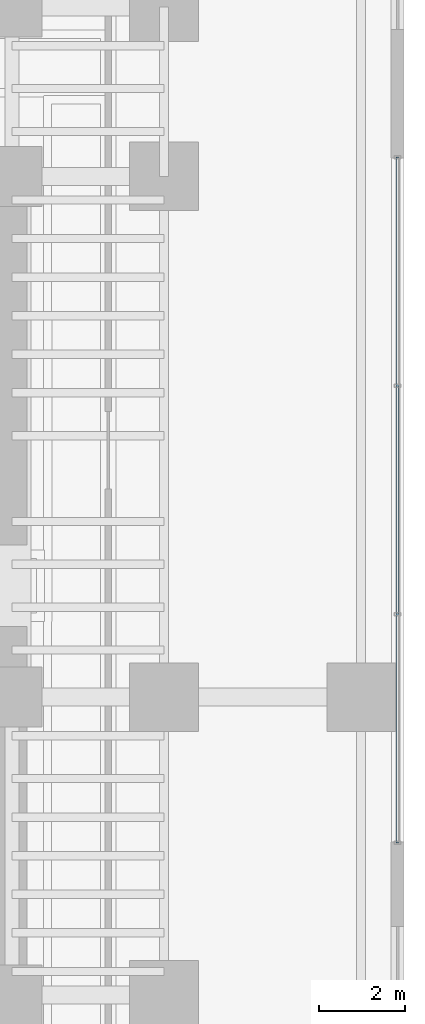
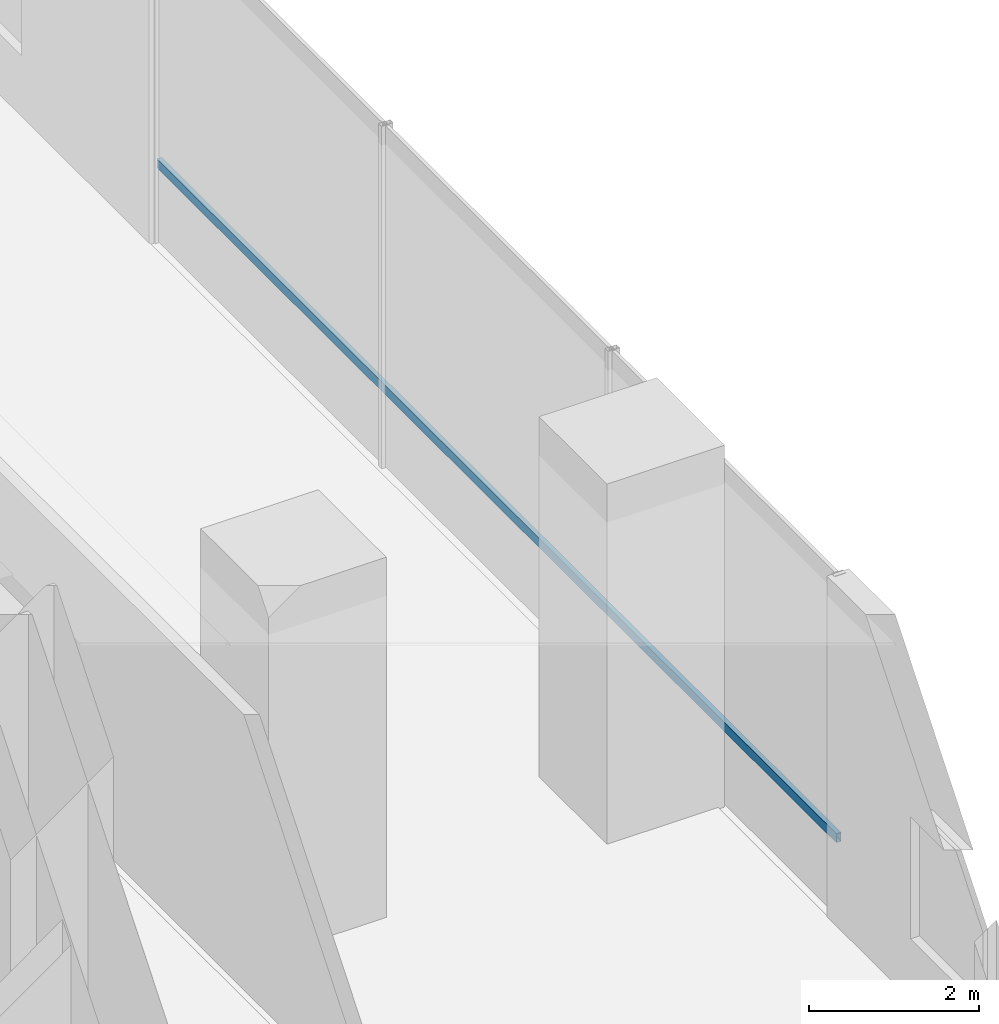
# One storey, part 21 of 39: 1 member, 1 element without a shape of its own.
"""IFC4 building model written with IfcOpenShell, lengths in metres."""

from ifc_helpers import new_model, si_unit, direction, frame, origin, origin_2d, place, context, subcontext, project, spatial, hollow_rectangle, extrude, source, transform, mapped, material, material_profile, profile_set, type_object, element, aggregate, save


model = new_model("IFC4")

# Units and contexts
model_context = context("Model", 3, precision=1e-05, world=origin(), true_north=direction((0.0, 1.0)))
body_context = subcontext(model_context, "Body", "Model", "MODEL_VIEW")
ifc_project = project(units=[si_unit("LENGTHUNIT", "METRE"), si_unit("AREAUNIT", "SQUARE_METRE"), si_unit("VOLUMEUNIT", "CUBIC_METRE"), si_unit("PLANEANGLEUNIT", "RADIAN"), si_unit("MASSUNIT", "GRAM", prefix="KILO")], contexts=[model_context])

# Site, building, storey
site_placement = place(None, origin())
site = spatial("IfcSite", under=ifc_project, at=site_placement, CompositionType="ELEMENT")
building_placement = place(site_placement, origin())
building = spatial("IfcBuilding", under=site, at=building_placement, Name="Valdorenza Pilgrim Sanctuary Tower", CompositionType="ELEMENT")
storey_placement = place(building_placement, frame((0.0, 0.0, 10.39990234375)))
storey = spatial("IfcBuildingStorey", under=building, at=storey_placement, Name="L02", CompositionType="ELEMENT", Elevation=10.39990234375)

# Curtain wall, member
ifc_material_1 = material(Name="Curtain-wall IGU glazing", Category="glass")
curtain_wall_type = type_object("IfcCurtainWallType", Name="CW-SYS-01", PredefinedType="NOTDEFINED", material=ifc_material_1)
curtain_wall_placement = place(storey_placement, origin())
curtain_wall = element("IfcCurtainWall", 1, at=curtain_wall_placement, inside=storey, type_object=curtain_wall_type, Name="L02 Curtain Wall CW-POD-L02-EE", PredefinedType="NOTDEFINED")
ifc_material_2 = material(Name="Anodised aluminium AW-6060", Category="aluminium")
ifc_material_profile = material_profile(ifc_material_2, hollow_rectangle(XDim=0.06494140625, YDim=0.1298828125, WallThickness=0.00341796875, at=origin_2d()), Name="ALU-T 130x65x3.5")
ifc_profile_set = profile_set([ifc_material_profile], Name="Anodised aluminium AW-6060")
member_type = type_object("IfcMemberType", Name="CW-TRN-01", PredefinedType="USERDEFINED", material=ifc_profile_set)
shared_shape = source(origin(), body_context, "Body", "SweptSolid", [
    extrude(hollow_rectangle(XDim=0.06494140625, YDim=0.1298828125, WallThickness=0.00341796875, at=origin_2d()), origin(), (0.0, 0.0, 1.0), 16.0),
])
member_placement = place(storey_placement, frame((33.85009765625, -6.0, 1.1201171875), z_axis=(0.0, 1.0, 0.0), x_axis=(-1.0, 0.0, 0.0)))
member = element("IfcMember", 2, at=member_placement, type_object=member_type, Name="CW-POD-L02-EE Transom 1", ObjectType="TRANSOM", PredefinedType="USERDEFINED", context=body_context, shape_type="MappedRepresentation", body=[
    mapped(shared_shape, transform((0.0, 0.0, 0.0), x_axis=(1.0, 0.0, 0.0), y_axis=(0.0, 1.0, 0.0), z_axis=(0.0, 0.0, 1.0), scale=1.0)),
])
aggregate(curtain_wall, [member])

save(model, "model.ifc")
